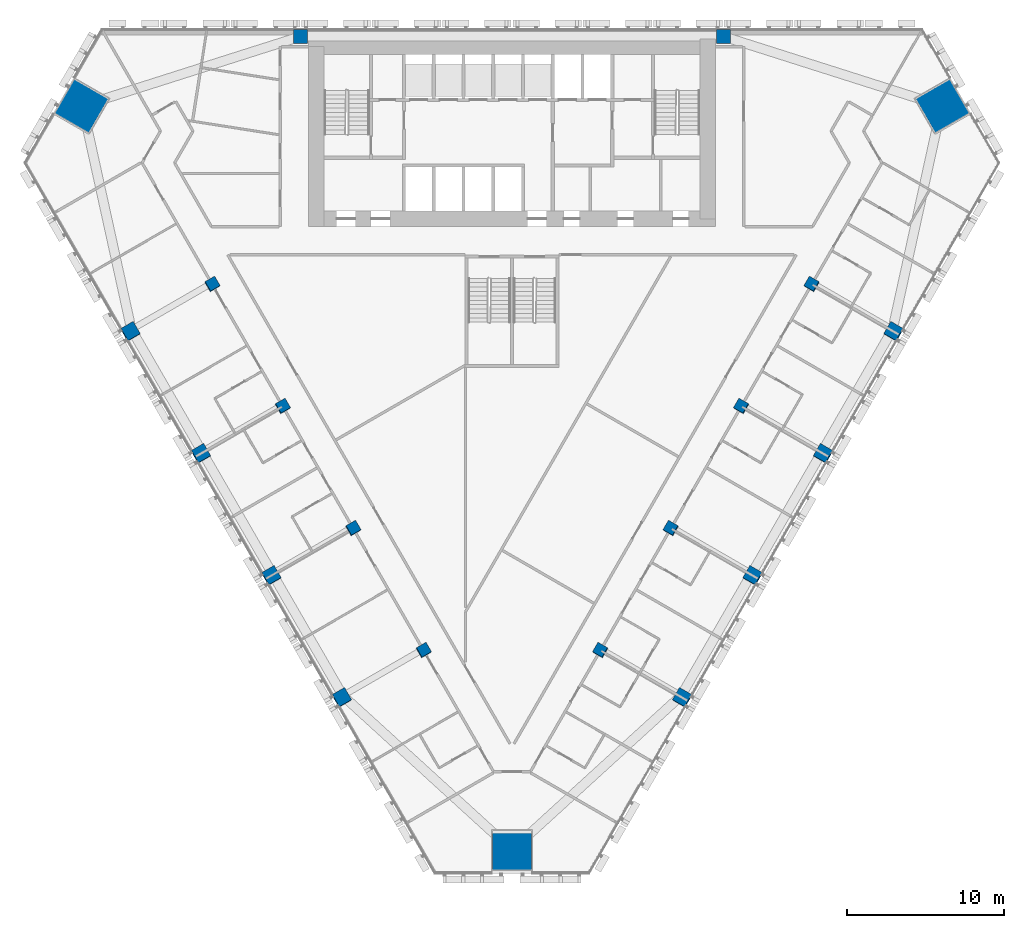
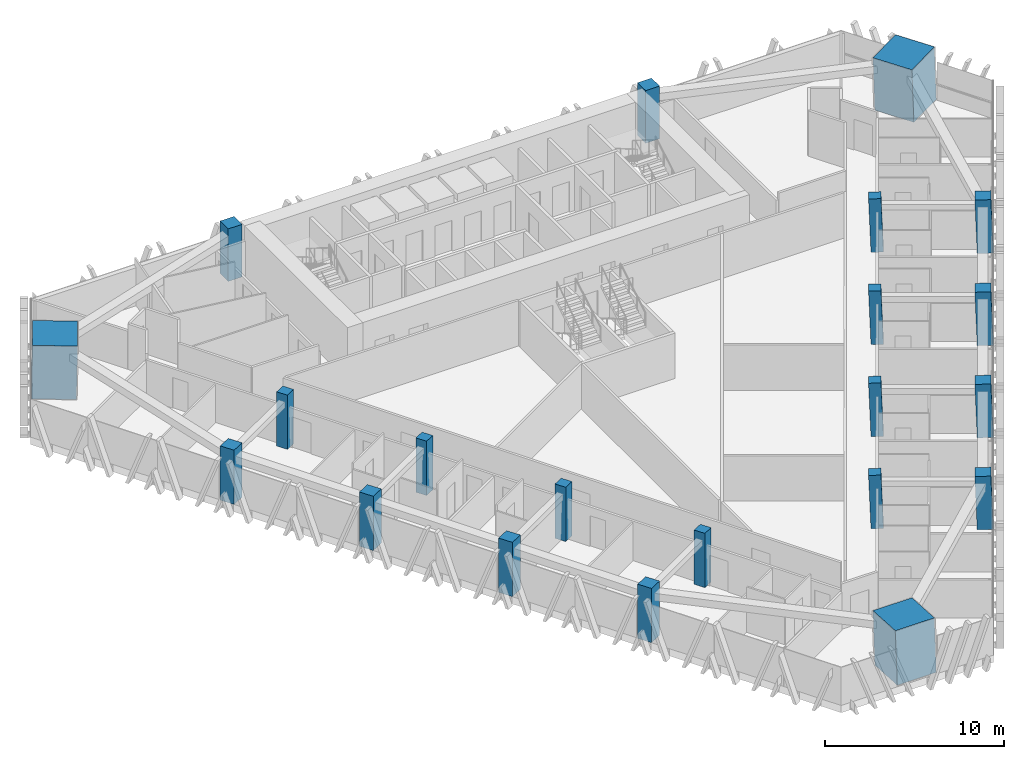
# One storey, part 1 of 18: 21 columns.
"""IFC4 building model written with IfcOpenShell, lengths in metres."""

from ifc_helpers import new_model, si_unit, direction, frame, origin, origin_2d, place, context, subcontext, project, spatial, rectangle, extrude, material, material_profile, profile_set, type_object, element, save


model = new_model("IFC4")

# Units and contexts
model_context = context("Model", 3, precision=1e-05, world=origin(), true_north=direction((0.0, 1.0)))
body_context = subcontext(model_context, "Body", "Model", "MODEL_VIEW")
ifc_project = project(units=[si_unit("LENGTHUNIT", "METRE"), si_unit("AREAUNIT", "SQUARE_METRE"), si_unit("VOLUMEUNIT", "CUBIC_METRE"), si_unit("PLANEANGLEUNIT", "RADIAN"), si_unit("MASSUNIT", "GRAM", prefix="KILO")], contexts=[model_context])

# Site, building, storey
site_placement = place(None, origin())
site = spatial("IfcSite", under=ifc_project, at=site_placement, CompositionType="ELEMENT")
building_placement = place(site_placement, origin())
building = spatial("IfcBuilding", under=site, at=building_placement, Name="Altiplano Prism Tower", CompositionType="ELEMENT")
storey_placement = place(building_placement, frame((0.0, 0.0, 34.199951171875)))
storey = spatial("IfcBuildingStorey", under=building, at=storey_placement, Name="L07", CompositionType="ELEMENT", Elevation=34.199951171875)

# Columns
ifc_material_1 = material(Name="Concrete C60/75", Category="concrete")
ifc_material_profile_1 = material_profile(ifc_material_1, rectangle(XDim=0.699951171875, YDim=0.699951171875, at=origin_2d()), Name="Inner column 700")
ifc_profile_set_1 = profile_set([ifc_material_profile_1], Name="Concrete C60/75")
column_type_1 = type_object("IfcColumnType", Name="Inner column 700", PredefinedType="COLUMN", material=ifc_profile_set_1)
for number, where, z_axis, x_axis, name in (
    (1, (65.85205078125, 88.717529296875, -0.021240234375), (0.02222134892, 0.038480872521, 0.999012229206), (-0.86564209878, -0.499182168802, 0.038482712619), "Inner column I11 L07"),
    (2, (70.35205078125, 80.92333984375, -0.021240234375), (0.02222134892, 0.038480872521, 0.999012229206), (-0.865639410047, -0.499186822153, 0.038482832055), "Inner column I12 L07"),
    (3, (74.85205078125, 73.129150390625, -0.021240234375), (0.02222134892, 0.038480872521, 0.999012229206), (-0.865644787488, -0.499177515436, 0.038482593182), "Inner column I13 L07"),
    (4, (79.35205078125, 65.3349609375, -0.021240234375), (0.022221406801, 0.038413224561, 0.999014831351), (-0.866026750546, -0.498518461735, 0.038431896242), "Inner column I14 L07"),
    (5, (90.64794921875, 65.3349609375, -0.021240234375), (-0.022221406801, 0.038413224561, 0.999014831351), (-0.499503630036, -0.866027578942, 0.022189098509), "Inner column I21 L07"),
    (6, (95.14794921875, 73.129150390625, -0.021240234375), (-0.02222134892, 0.038480872521, 0.999012229206), (-0.500165286228, -0.865644863979, 0.022218368972), "Inner column I22 L07"),
    (7, (99.64794921875, 80.92333984375, -0.021240234375), (-0.02222134892, 0.038480872521, 0.999012229206), (-0.500174592943, -0.865639497158, 0.022217955235), "Inner column I23 L07"),
    (8, (104.14794921875, 88.717529296875, -0.021240234375), (-0.02222134892, 0.038480872521, 0.999012229206), (-0.500174592943, -0.865639497158, 0.022217955235), "Inner column I24 L07"),
):
    element("IfcColumn", number, at=place(storey_placement, frame(where, z_axis=z_axis, x_axis=x_axis)), inside=storey, type_object=column_type_1, Name=name, PredefinedType="COLUMN", context=body_context, shape_type="SweptSolid", body=[
        extrude(rectangle(XDim=0.699951171875, YDim=0.699951171875, at=origin_2d()), origin(), (0.0, 0.0, 1.0), 3.603759765625),
    ])
ifc_material_2 = material(Name="Concrete C70/85", Category="concrete")
ifc_material_profile_2 = material_profile(ifc_material_2, rectangle(XDim=2.52001953125, YDim=2.52001953125, at=origin_2d()), Name="Mega column infill 2600")
ifc_profile_set_2 = profile_set([ifc_material_profile_2], Name="Concrete C70/85")
column_type_2 = type_object("IfcColumnType", Name="Mega column infill 2600", PredefinedType="COLUMN", material=ifc_profile_set_2)
column_1_placement = place(storey_placement, frame((57.457275390625, 100.08642578125, 0.0), z_axis=(0.028401796786, 0.009286506348, 0.999553449666), x_axis=(-0.8662019595, 0.499294710929, 0.019973907882)))
element("IfcColumn", 9, at=column_1_placement, inside=storey, type_object=column_type_2, Name="Mega column M0 L07", PredefinedType="COLUMN", context=body_context, shape_type="SweptSolid", body=[
    extrude(rectangle(XDim=2.52001953125, YDim=2.52001953125, at=origin_2d()), origin(), (0.0, 0.0, 1.0), 3.601806640625),
])
column_2_placement = place(storey_placement, frame((85.0, 52.381103515625, 0.0), z_axis=(0.0, 0.058356907999, 0.998295783467), x_axis=(-1.0, 0.0, 0.0)))
element("IfcColumn", 10, at=column_2_placement, inside=storey, type_object=column_type_2, Name="Mega column M1 L07", PredefinedType="COLUMN", context=body_context, shape_type="SweptSolid", body=[
    extrude(rectangle(XDim=2.52001953125, YDim=2.52001953125, at=origin_2d()), origin(), (0.0, 0.0, 1.0), 3.606201171875),
])
column_3_placement = place(storey_placement, frame((112.542724609375, 100.08642578125, 0.0), z_axis=(-0.028401796786, 0.009286506348, 0.999553449666), x_axis=(0.498881273913, -0.866385327315, 0.02222474187)))
element("IfcColumn", 11, at=column_3_placement, inside=storey, type_object=column_type_2, Name="Mega column M2 L07", PredefinedType="COLUMN", context=body_context, shape_type="SweptSolid", body=[
    extrude(rectangle(XDim=2.52001953125, YDim=2.52001953125, at=origin_2d()), origin(), (0.0, 0.0, 1.0), 3.601806640625),
])
ifc_material_profile_3 = material_profile(ifc_material_1, rectangle(XDim=0.89990234375, YDim=0.89990234375, at=origin_2d()), Name="Perimeter column 900")
ifc_profile_set_3 = profile_set([ifc_material_profile_3], Name="Concrete C60/75")
column_type_3 = type_object("IfcColumnType", Name="Perimeter column 900", PredefinedType="COLUMN", material=ifc_profile_set_3)
for number, where, z_axis, x_axis, name in (
    (12, (98.5, 104.550048828125, 0.0), (0.0, 0.0, 1.0), (1.0, 0.0, 0.0), "Perimeter column P01 L07"),
    (13, (71.5, 104.550048828125, 0.0), (0.0, 0.0, 1.0), (1.0, 0.0, 0.0), "Perimeter column P04 L07"),
):
    element("IfcColumn", number, at=place(storey_placement, frame(where, z_axis=z_axis, x_axis=x_axis)), inside=storey, type_object=column_type_3, Name=name, PredefinedType="COLUMN", context=body_context, shape_type="SweptSolid", body=[
        extrude(rectangle(XDim=0.89990234375, YDim=0.89990234375, at=origin_2d()), origin(), (0.0, 0.0, 1.0), 3.60009765625),
    ])
for number, where, z_axis, x_axis, name in (
    (14, (60.612548828125, 85.6923828125, -0.02734375), (0.022221406801, 0.038413224561, 0.999014831351), (-0.866021380218, -0.498527772566, 0.0384321348), "Perimeter column P11 L07"),
    (15, (65.112548828125, 77.898193359375, -0.02734375), (0.022221406801, 0.038413224561, 0.999014831351), (-0.866021380218, -0.498527772566, 0.0384321348), "Perimeter column P12 L07"),
    (16, (69.612548828125, 70.10400390625, -0.02734375), (0.022221406801, 0.038413224561, 0.999014831351), (-0.866024065394, -0.498523117158, 0.038432015521), "Perimeter column P13 L07"),
    (17, (74.112548828125, 62.309814453125, -0.02734375), (0.022221406801, 0.038413224561, 0.999014831351), (-0.866024065394, -0.498523117158, 0.038432015521), "Perimeter column P14 L07"),
    (18, (95.887451171875, 62.309814453125, -0.02734375), (-0.022221406801, 0.038413224561, 0.999014831351), (-0.499508285454, -0.866024899087, 0.022188891913), "Perimeter column P21 L07"),
    (19, (100.387451171875, 70.10400390625, -0.02734375), (-0.022221406801, 0.038413224561, 0.999014831351), (-0.499508285454, -0.866024899087, 0.022188891913), "Perimeter column P22 L07"),
    (20, (104.887451171875, 77.898193359375, -0.02734375), (-0.022221406801, 0.038413224561, 0.999014831351), (-0.499512940858, -0.866022219206, 0.022188685317), "Perimeter column P23 L07"),
    (21, (109.387451171875, 85.6923828125, -0.02734375), (-0.022221406801, 0.038413224561, 0.999014831351), (-0.499512940858, -0.866022219206, 0.022188685317), "Perimeter column P24 L07"),
):
    element("IfcColumn", number, at=place(storey_placement, frame(where, z_axis=z_axis, x_axis=x_axis)), inside=storey, type_object=column_type_3, Name=name, PredefinedType="COLUMN", context=body_context, shape_type="SweptSolid", body=[
        extrude(rectangle(XDim=0.89990234375, YDim=0.89990234375, at=origin_2d()), origin(), (0.0, 0.0, 1.0), 3.603759765625),
    ])

save(model, "model.ifc")
